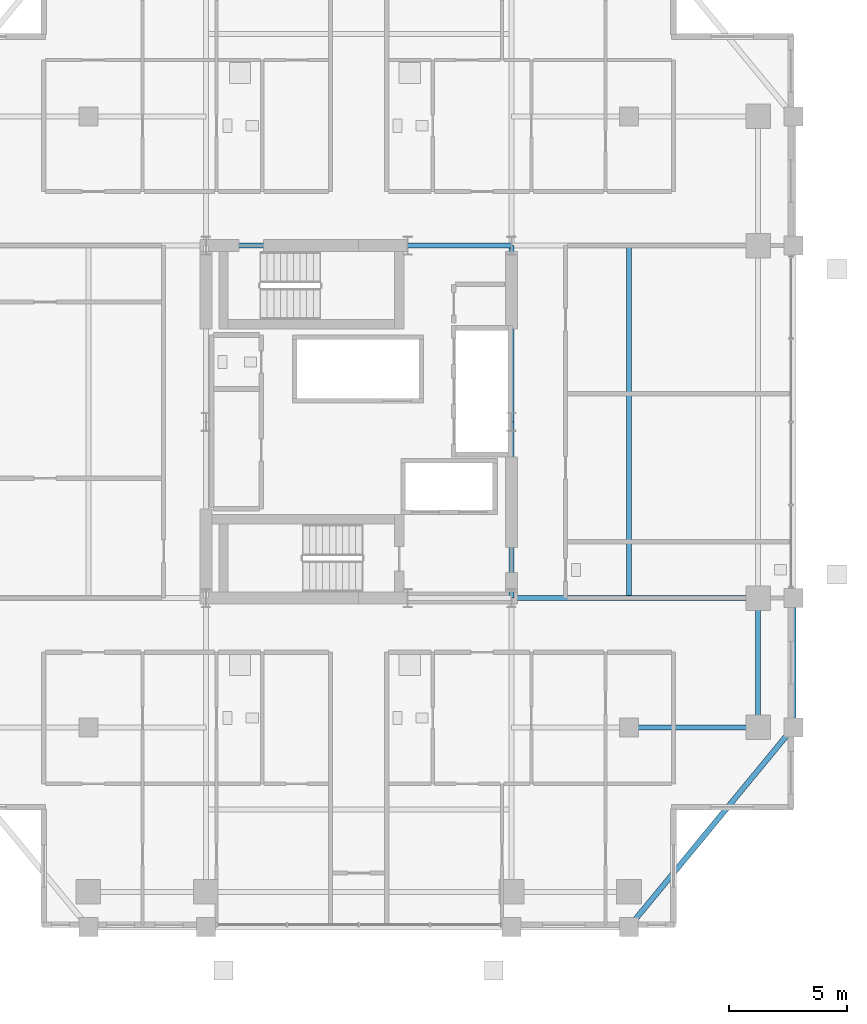
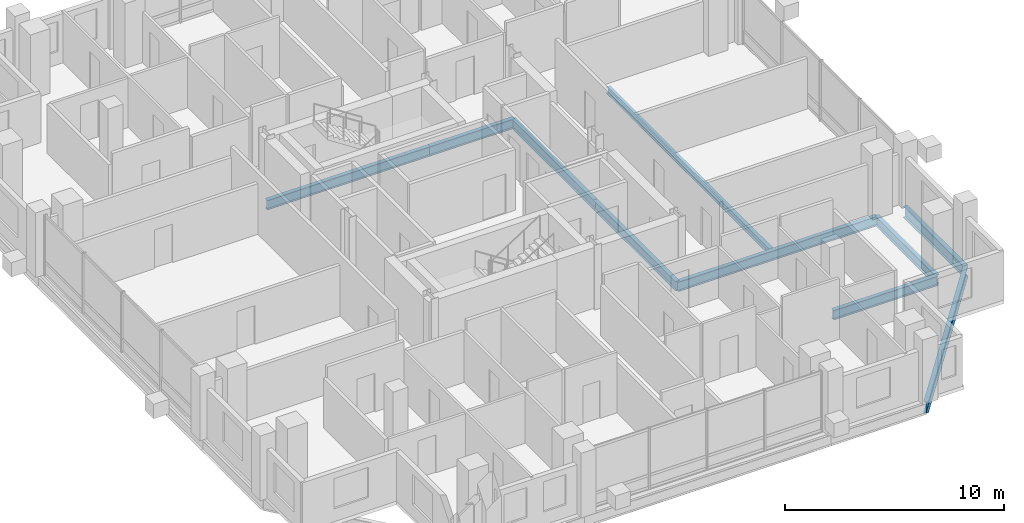
# One storey, part 9 of 24: 10 beams.
"""IFC4 building model written with IfcOpenShell, lengths in metres."""

from ifc_helpers import new_model, si_unit, direction, frame, origin, origin_2d, place, context, subcontext, project, spatial, i_section, extrude, material, material_profile, profile_set, type_object, element, save


model = new_model("IFC4")

# Units and contexts
model_context = context("Model", 3, precision=1e-05, world=origin(), true_north=direction((0.0, 1.0)))
body_context = subcontext(model_context, "Body", "Model", "MODEL_VIEW")
ifc_project = project(units=[si_unit("LENGTHUNIT", "METRE"), si_unit("AREAUNIT", "SQUARE_METRE"), si_unit("VOLUMEUNIT", "CUBIC_METRE"), si_unit("PLANEANGLEUNIT", "RADIAN"), si_unit("MASSUNIT", "GRAM", prefix="KILO")], contexts=[model_context])

# Site, building, storey
site_placement = place(None, origin())
site = spatial("IfcSite", under=ifc_project, at=site_placement, CompositionType="ELEMENT")
building_placement = place(site_placement, origin())
building = spatial("IfcBuilding", under=site, at=building_placement, Name="Barlavira Tower and Art Museum", CompositionType="ELEMENT")
storey_placement = place(building_placement, frame((0.0, 0.0, 201.60009765625)))
storey = spatial("IfcBuildingStorey", under=building, at=storey_placement, Name="L52", CompositionType="ELEMENT", Elevation=201.60009765625)

# Beams
ifc_material = material(Name="Steel S355", Category="steel")
ifc_material_profile_1 = material_profile(ifc_material, i_section(OverallWidth=0.22998046875, OverallDepth=0.616943359375, WebThickness=0.01318359375, FlangeThickness=0.022216796875, at=origin_2d()), Name="W610x140.0")
ifc_profile_set_1 = profile_set([ifc_material_profile_1], Name="Steel S355")
beam_type_1 = type_object("IfcBeamType", Name="Upper Shaft Spandrel Edge Beam W610x140 Steel S355", PredefinedType="SPANDREL", material=ifc_profile_set_1)
beam_1_placement = place(storey_placement, frame((11.5, -21.5, -0.528564453125), z_axis=(0.635707252861, 0.771930235617, 0.0), x_axis=(-0.771930235617, 0.635707252861, 0.0)))
element("IfcBeam", 1, at=beam_1_placement, inside=storey, type_object=beam_type_1, Name="L52 Spandrel 4", PredefinedType="SPANDREL", context=body_context, shape_type="SweptSolid", body=[
    extrude(i_section(OverallWidth=0.22998046875, OverallDepth=0.616943359375, WebThickness=0.01318359375, FlangeThickness=0.022216796875, at=origin_2d()), origin(), (0.0, 0.0, 1.0), 11.011474609375),
])
beam_2_placement = place(storey_placement, frame((18.5, -13.0, -0.528564453125), z_axis=(0.0, 1.0, 0.0), x_axis=(-1.0, 0.0, 0.0)))
element("IfcBeam", 2, at=beam_2_placement, inside=storey, type_object=beam_type_1, Name="L52 Spandrel 5", PredefinedType="SPANDREL", context=body_context, shape_type="SweptSolid", body=[
    extrude(i_section(OverallWidth=0.22998046875, OverallDepth=0.616943359375, WebThickness=0.01318359375, FlangeThickness=0.022216796875, at=origin_2d()), origin(), (0.0, 0.0, 1.0), 5.5),
])
ifc_material_profile_2 = material_profile(ifc_material, i_section(OverallWidth=0.205078125, OverallDepth=0.35400390625, WebThickness=0.009521484375, FlangeThickness=0.016845703125, at=origin_2d()), Name="W360x79.0")
ifc_profile_set_2 = profile_set([ifc_material_profile_2], Name="Steel S355")
beam_type_2 = type_object("IfcBeamType", Name="Zone 3 Composite Floor Joist W360x79 Steel S355", PredefinedType="JOIST", material=ifc_profile_set_2)
beam_3_placement = place(storey_placement, frame((11.5, -7.5, -0.397216796875), z_axis=(0.0, 1.0, 0.0), x_axis=(-1.0, 0.0, 0.0)))
element("IfcBeam", 3, at=beam_3_placement, inside=storey, type_object=beam_type_2, Name="L52 Joist W2", PredefinedType="JOIST", context=body_context, shape_type="SweptSolid", body=[
    extrude(i_section(OverallWidth=0.205078125, OverallDepth=0.35400390625, WebThickness=0.009521484375, FlangeThickness=0.016845703125, at=origin_2d()), origin(), (0.0, 0.0, 1.0), 15.0),
])
ifc_material_profile_3 = material_profile(ifc_material, i_section(OverallWidth=0.2109375, OverallDepth=0.5390625, WebThickness=0.01171875, FlangeThickness=0.018798828125, at=origin_2d()), Name="W530x109.0")
ifc_profile_set_3 = profile_set([ifc_material_profile_3], Name="Steel S355")
beam_type_3 = type_object("IfcBeamType", Name="Zone 3-4 Primary Floor Girder W530x109 Steel S355", PredefinedType="BEAM", material=ifc_profile_set_3)
beam_4_placement = place(storey_placement, frame((-6.5, 7.5, -0.489501953125), z_axis=(1.0, 0.0, 0.0), x_axis=(0.0, 1.0, 0.0)))
element("IfcBeam", 4, at=beam_4_placement, inside=storey, type_object=beam_type_3, Name="L52 Girder C-N1", PredefinedType="BEAM", context=body_context, shape_type="SweptSolid", body=[
    extrude(i_section(OverallWidth=0.2109375, OverallDepth=0.5390625, WebThickness=0.01171875, FlangeThickness=0.018798828125, at=origin_2d()), origin(), (0.0, 0.0, 1.0), 8.580078125),
])
beam_5_placement = place(storey_placement, frame((2.080078125, 7.5, -0.489501953125), z_axis=(1.0, 0.0, 0.0), x_axis=(0.0, 1.0, 0.0)))
element("IfcBeam", 5, at=beam_5_placement, inside=storey, type_object=beam_type_3, Name="L52 Girder C-N2", PredefinedType="BEAM", context=body_context, shape_type="SweptSolid", body=[
    extrude(i_section(OverallWidth=0.2109375, OverallDepth=0.5390625, WebThickness=0.01171875, FlangeThickness=0.018798828125, at=origin_2d()), origin(), (0.0, 0.0, 1.0), 4.419921875),
])
for number, where, z_axis, x_axis, name in (
    (6, (6.5, -7.5, -0.489501953125), (0.0, 1.0, 0.0), (-1.0, 0.0, 0.0), "L52 Girder C-E1"),
    (7, (6.5, 0.0, -0.489501953125), (0.0, 1.0, 0.0), (-1.0, 0.0, 0.0), "L52 Girder C-E2"),
):
    element("IfcBeam", number, at=place(storey_placement, frame(where, z_axis=z_axis, x_axis=x_axis)), inside=storey, type_object=beam_type_3, Name=name, PredefinedType="BEAM", context=body_context, shape_type="SweptSolid", body=[
        extrude(i_section(OverallWidth=0.2109375, OverallDepth=0.5390625, WebThickness=0.01171875, FlangeThickness=0.018798828125, at=origin_2d()), origin(), (0.0, 0.0, 1.0), 7.5),
    ])
beam_6_placement = place(storey_placement, frame((17.0, -13.0, -0.489501953125), z_axis=(0.0, 1.0, 0.0), x_axis=(-1.0, 0.0, 0.0)))
element("IfcBeam", 8, at=beam_6_placement, inside=storey, type_object=beam_type_3, Name="L52 Girder M-E1", PredefinedType="BEAM", context=body_context, shape_type="SweptSolid", body=[
    extrude(i_section(OverallWidth=0.2109375, OverallDepth=0.5390625, WebThickness=0.01171875, FlangeThickness=0.018798828125, at=origin_2d()), origin(), (0.0, 0.0, 1.0), 5.5),
])
beam_7_placement = place(storey_placement, frame((6.5, -7.5, -0.489501953125), z_axis=(1.0, 0.0, 0.0), x_axis=(0.0, 1.0, 0.0)))
element("IfcBeam", 9, at=beam_7_placement, inside=storey, type_object=beam_type_3, Name="L52 Girder R-E1", PredefinedType="BEAM", context=body_context, shape_type="SweptSolid", body=[
    extrude(i_section(OverallWidth=0.2109375, OverallDepth=0.5390625, WebThickness=0.01171875, FlangeThickness=0.018798828125, at=origin_2d()), origin(), (0.0, 0.0, 1.0), 10.5),
])
beam_8_placement = place(storey_placement, frame((11.5, -13.0, -0.489501953125), z_axis=(1.0, 0.0, 0.0), x_axis=(0.0, 1.0, 0.0)))
element("IfcBeam", 10, at=beam_8_placement, inside=storey, type_object=beam_type_3, Name="L52 Girder I-S4", PredefinedType="BEAM", context=body_context, shape_type="SweptSolid", body=[
    extrude(i_section(OverallWidth=0.2109375, OverallDepth=0.5390625, WebThickness=0.01171875, FlangeThickness=0.018798828125, at=origin_2d()), origin(), (0.0, 0.0, 1.0), 5.5),
])

save(model, "model.ifc")
